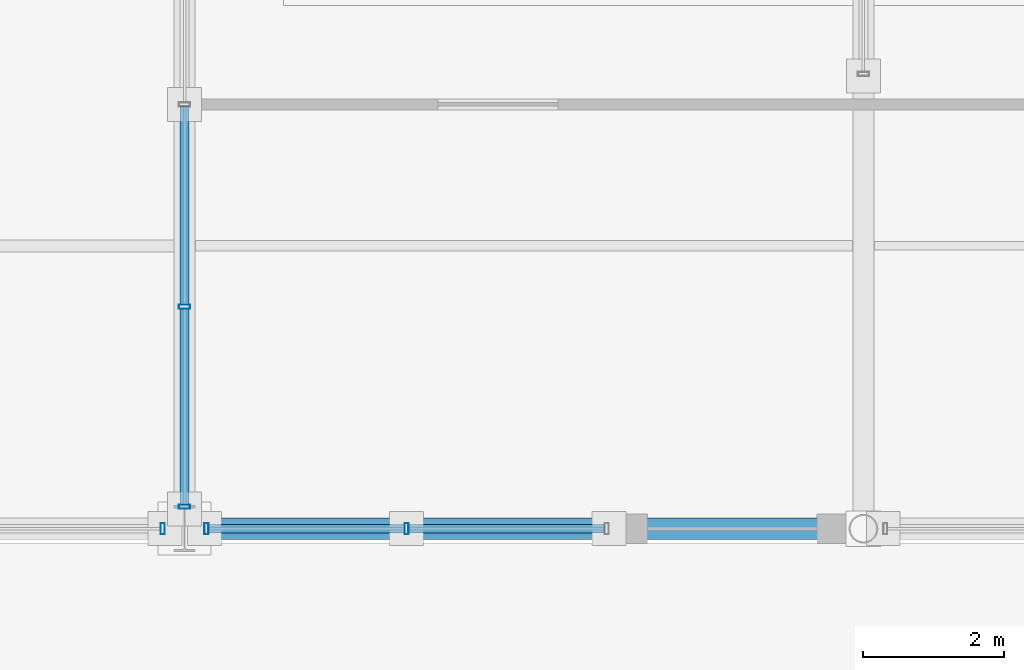
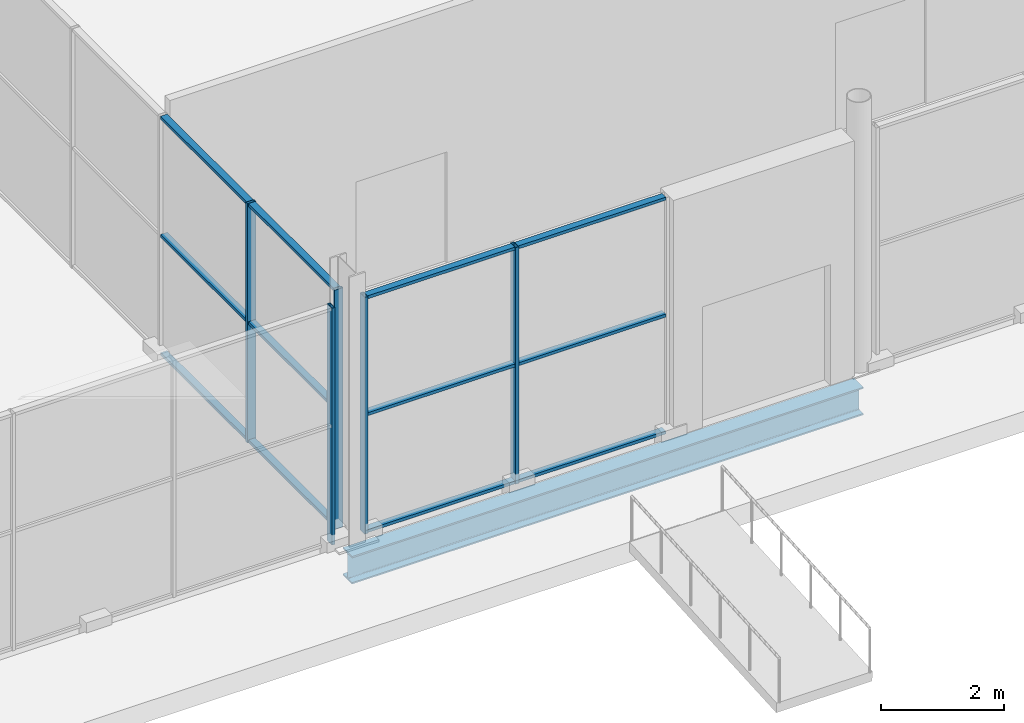
# One storey, part 41 of 196: 17 members, 1 beam, 3 elements without a shape of their own.
"""IFC4 building model written with IfcOpenShell, lengths in metres."""

from ifc_helpers import new_model, si_unit, direction, frame, origin, origin_2d, place, context, subcontext, project, spatial, hollow_rectangle, i_section, extrude, material, material_profile, profile_set, type_object, element, aggregate, save


model = new_model("IFC4")

# Units and contexts
model_context = context("Model", 3, precision=1e-05, world=origin(), true_north=direction((0.0, 1.0)))
body_context = subcontext(model_context, "Body", "Model", "MODEL_VIEW")
ifc_project = project(units=[si_unit("LENGTHUNIT", "METRE"), si_unit("AREAUNIT", "SQUARE_METRE"), si_unit("VOLUMEUNIT", "CUBIC_METRE"), si_unit("PLANEANGLEUNIT", "RADIAN"), si_unit("MASSUNIT", "GRAM", prefix="KILO")], contexts=[model_context])

# Site, building, storey
site_placement = place(None, origin())
site = spatial("IfcSite", under=ifc_project, at=site_placement, CompositionType="ELEMENT")
building_placement = place(site_placement, origin())
building = spatial("IfcBuilding", under=site, at=building_placement, Name="Merenkruunu Market Hall", CompositionType="ELEMENT")
storey_placement = place(building_placement, origin())
storey = spatial("IfcBuildingStorey", under=building, at=storey_placement, Name="L00", CompositionType="ELEMENT", Elevation=0.0)

# Curtain wall, member
ifc_material_1 = material(Name="Powder-coated aluminium", Category="aluminium")
curtain_wall_type_1 = type_object("IfcCurtainWallType", Name="Glazed Curtain Wall CW01", PredefinedType="USERDEFINED", material=ifc_material_1)
curtain_wall_1_placement = place(storey_placement, origin())
curtain_wall_1 = element("IfcCurtainWall", 1, at=curtain_wall_1_placement, inside=storey, type_object=curtain_wall_type_1, Name="CW-L00-CWM01-034", ObjectType="GLAZED_FACADE", PredefinedType="USERDEFINED")
ifc_material_profile_1 = material_profile(ifc_material_1, hollow_rectangle(XDim=0.06005859375, YDim=0.159912109375, WallThickness=0.00390625, at=origin_2d()), Name="ALU 60x160x4")
ifc_profile_set_1 = profile_set([ifc_material_profile_1], Name="Powder-coated aluminium")
member_type_1 = type_object("IfcMemberType", Name="Curtain Wall Mullion CWM01", PredefinedType="MULLION", material=ifc_profile_set_1)
member_1_placement = place(storey_placement, frame((57.2900390625, 15.60009765625, 0.0), z_axis=(0.0, 0.0, 1.0), x_axis=(-1.0, 0.0, 0.0)))
member_1 = element("IfcMember", 2, at=member_1_placement, type_object=member_type_1, Name="CW01 mullion 1", PredefinedType="MULLION", context=body_context, shape_type="SweptSolid", body=[
    extrude(hollow_rectangle(XDim=0.06005859375, YDim=0.159912109375, WallThickness=0.00390625, at=origin_2d()), origin(), (0.0, 0.0, 1.0), 4.699951171875),
])
aggregate(curtain_wall_1, [member_1])

# Curtain wall, members
curtain_wall_type_2 = type_object("IfcCurtainWallType", Name="Glazed Curtain Wall CW02", PredefinedType="USERDEFINED", material=ifc_material_1)
curtain_wall_2_placement = place(storey_placement, origin())
curtain_wall_2 = element("IfcCurtainWall", 3, at=curtain_wall_2_placement, inside=storey, type_object=curtain_wall_type_2, Name="CW-L00-CWM01-121", ObjectType="GLAZED_FACADE", PredefinedType="USERDEFINED")
member_2_placement = place(storey_placement, frame((57.60009765625, 15.909912109375, 0.0), z_axis=(0.0, 0.0, 1.0), x_axis=(0.0, 1.0, 0.0)))
member_2 = element("IfcMember", 4, at=member_2_placement, type_object=member_type_1, Name="CW02 mullion 1", PredefinedType="MULLION", context=body_context, shape_type="SweptSolid", body=[
    extrude(hollow_rectangle(XDim=0.06005859375, YDim=0.159912109375, WallThickness=0.00390625, at=origin_2d()), origin(), (0.0, 0.0, 1.0), 4.75),
])
member_3_placement = place(storey_placement, frame((57.60009765625, 18.739990234375, 0.0), z_axis=(0.0, 0.0, 1.0), x_axis=(0.0, 1.0, 0.0)))
member_3 = element("IfcMember", 5, at=member_3_placement, type_object=member_type_1, Name="CW02 mullion 2", PredefinedType="MULLION", context=body_context, shape_type="SweptSolid", body=[
    extrude(hollow_rectangle(XDim=0.06005859375, YDim=0.159912109375, WallThickness=0.00390625, at=origin_2d()), origin(), (0.0, 0.0, 1.0), 4.75),
])

curtain_wall_type_3 = type_object("IfcCurtainWallType", Name="Glazed Curtain Wall CW06", PredefinedType="USERDEFINED", material=ifc_material_1)
curtain_wall_3_placement = place(storey_placement, origin())
curtain_wall_3 = element("IfcCurtainWall", 6, at=curtain_wall_3_placement, inside=storey, type_object=curtain_wall_type_3, Name="CW-L00-CWM01-139", ObjectType="GLAZED_FACADE", PredefinedType="USERDEFINED")
member_4_placement = place(storey_placement, frame((60.739990234375, 15.60009765625, 0.0), z_axis=(0.0, 0.0, 1.0), x_axis=(-1.0, 0.0, 0.0)))
member_4 = element("IfcMember", 7, at=member_4_placement, type_object=member_type_1, Name="CW06 mullion 2", PredefinedType="MULLION", context=body_context, shape_type="SweptSolid", body=[
    extrude(hollow_rectangle(XDim=0.06005859375, YDim=0.159912109375, WallThickness=0.00390625, at=origin_2d()), origin(), (0.0, 0.0, 1.0), 4.699951171875),
])
member_5_placement = place(storey_placement, frame((57.909912109375, 15.60009765625, 0.0), z_axis=(0.0, 0.0, 1.0), x_axis=(-1.0, 0.0, 0.0)))
member_5 = element("IfcMember", 8, at=member_5_placement, type_object=member_type_1, Name="CW06 mullion 3", PredefinedType="MULLION", context=body_context, shape_type="SweptSolid", body=[
    extrude(hollow_rectangle(XDim=0.06005859375, YDim=0.159912109375, WallThickness=0.00390625, at=origin_2d()), origin(), (0.0, 0.0, 1.0), 4.699951171875),
])

# Member
ifc_material_profile_2 = material_profile(ifc_material_1, hollow_rectangle(XDim=0.06005859375, YDim=0.125, WallThickness=0.00390625, at=origin_2d()), Name="ALU 60x125x4")
ifc_profile_set_2 = profile_set([ifc_material_profile_2], Name="Powder-coated aluminium")
member_type_2 = type_object("IfcMemberType", Name="Curtain Wall Transom CWT01", PredefinedType="USERDEFINED", material=ifc_profile_set_2)
member_6_placement = place(storey_placement, frame((57.60009765625, 15.93994140625, 0.030029296875), z_axis=(0.0, 1.0, 0.0), x_axis=(0.0, 0.0, 1.0)))
member_6 = element("IfcMember", 9, at=member_6_placement, type_object=member_type_2, Name="CW02 transom 1.1", ObjectType="TRANSOM", PredefinedType="USERDEFINED", context=body_context, shape_type="SweptSolid", body=[
    extrude(hollow_rectangle(XDim=0.06005859375, YDim=0.125, WallThickness=0.00390625, at=origin_2d()), origin(), (0.0, 0.0, 1.0), 2.77001953125),
])

member_7_placement = place(storey_placement, frame((57.60009765625, 15.93994140625, 2.375), z_axis=(0.0, 1.0, 0.0), x_axis=(0.0, 0.0, 1.0)))
member_7 = element("IfcMember", 10, at=member_7_placement, type_object=member_type_2, Name="CW02 transom 1.2", ObjectType="TRANSOM", PredefinedType="USERDEFINED", context=body_context, shape_type="SweptSolid", body=[
    extrude(hollow_rectangle(XDim=0.06005859375, YDim=0.125, WallThickness=0.00390625, at=origin_2d()), origin(), (0.0, 0.0, 1.0), 2.77001953125),
])

member_8_placement = place(storey_placement, frame((57.60009765625, 15.93994140625, 4.719970703125), z_axis=(0.0, 1.0, 0.0), x_axis=(0.0, 0.0, 1.0)))
member_8 = element("IfcMember", 11, at=member_8_placement, type_object=member_type_2, Name="CW02 transom 1.3", ObjectType="TRANSOM", PredefinedType="USERDEFINED", context=body_context, shape_type="SweptSolid", body=[
    extrude(hollow_rectangle(XDim=0.06005859375, YDim=0.125, WallThickness=0.00390625, at=origin_2d()), origin(), (0.0, 0.0, 1.0), 2.77001953125),
])

member_9_placement = place(storey_placement, frame((57.60009765625, 18.77001953125, 0.030029296875), z_axis=(0.0, 1.0, 0.0), x_axis=(0.0, 0.0, 1.0)))
member_9 = element("IfcMember", 12, at=member_9_placement, type_object=member_type_2, Name="CW02 transom 2.1", ObjectType="TRANSOM", PredefinedType="USERDEFINED", context=body_context, shape_type="SweptSolid", body=[
    extrude(hollow_rectangle(XDim=0.06005859375, YDim=0.125, WallThickness=0.00390625, at=origin_2d()), origin(), (0.0, 0.0, 1.0), 2.800048828125),
])

member_10_placement = place(storey_placement, frame((57.60009765625, 18.77001953125, 2.375), z_axis=(0.0, 1.0, 0.0), x_axis=(0.0, 0.0, 1.0)))
member_10 = element("IfcMember", 13, at=member_10_placement, type_object=member_type_2, Name="CW02 transom 2.2", ObjectType="TRANSOM", PredefinedType="USERDEFINED", context=body_context, shape_type="SweptSolid", body=[
    extrude(hollow_rectangle(XDim=0.06005859375, YDim=0.125, WallThickness=0.00390625, at=origin_2d()), origin(), (0.0, 0.0, 1.0), 2.800048828125),
])

member_11_placement = place(storey_placement, frame((57.60009765625, 18.77001953125, 4.719970703125), z_axis=(0.0, 1.0, 0.0), x_axis=(0.0, 0.0, 1.0)))
member_11 = element("IfcMember", 14, at=member_11_placement, type_object=member_type_2, Name="CW02 transom 2.3", ObjectType="TRANSOM", PredefinedType="USERDEFINED", context=body_context, shape_type="SweptSolid", body=[
    extrude(hollow_rectangle(XDim=0.06005859375, YDim=0.125, WallThickness=0.00390625, at=origin_2d()), origin(), (0.0, 0.0, 1.0), 2.800048828125),
])

aggregate(curtain_wall_2, [member_2, member_3, member_6, member_7, member_8, member_9, member_10, member_11])

member_12_placement = place(storey_placement, frame((63.5400390625, 15.60009765625, 0.030029296875), z_axis=(-1.0, 0.0, 0.0), x_axis=(0.0, 0.0, 1.0)))
member_12 = element("IfcMember", 15, at=member_12_placement, type_object=member_type_2, Name="CW06 transom 1.1", ObjectType="TRANSOM", PredefinedType="USERDEFINED", context=body_context, shape_type="SweptSolid", body=[
    extrude(hollow_rectangle(XDim=0.06005859375, YDim=0.125, WallThickness=0.00390625, at=origin_2d()), origin(), (0.0, 0.0, 1.0), 2.77001953125),
])

member_13_placement = place(storey_placement, frame((63.5400390625, 15.60009765625, 2.35009765625), z_axis=(-1.0, 0.0, 0.0), x_axis=(0.0, 0.0, 1.0)))
member_13 = element("IfcMember", 16, at=member_13_placement, type_object=member_type_2, Name="CW06 transom 1.2", ObjectType="TRANSOM", PredefinedType="USERDEFINED", context=body_context, shape_type="SweptSolid", body=[
    extrude(hollow_rectangle(XDim=0.06005859375, YDim=0.125, WallThickness=0.00390625, at=origin_2d()), origin(), (0.0, 0.0, 1.0), 2.77001953125),
])

member_14_placement = place(storey_placement, frame((63.5400390625, 15.60009765625, 4.669921875), z_axis=(-1.0, 0.0, 0.0), x_axis=(0.0, 0.0, 1.0)))
member_14 = element("IfcMember", 17, at=member_14_placement, type_object=member_type_2, Name="CW06 transom 1.3", ObjectType="TRANSOM", PredefinedType="USERDEFINED", context=body_context, shape_type="SweptSolid", body=[
    extrude(hollow_rectangle(XDim=0.06005859375, YDim=0.125, WallThickness=0.00390625, at=origin_2d()), origin(), (0.0, 0.0, 1.0), 2.77001953125),
])

member_15_placement = place(storey_placement, frame((60.7099609375, 15.60009765625, 0.030029296875), z_axis=(-1.0, 0.0, 0.0), x_axis=(0.0, 0.0, 1.0)))
member_15 = element("IfcMember", 18, at=member_15_placement, type_object=member_type_2, Name="CW06 transom 2.1", ObjectType="TRANSOM", PredefinedType="USERDEFINED", context=body_context, shape_type="SweptSolid", body=[
    extrude(hollow_rectangle(XDim=0.06005859375, YDim=0.125, WallThickness=0.00390625, at=origin_2d()), origin(), (0.0, 0.0, 1.0), 2.77001953125),
])

member_16_placement = place(storey_placement, frame((60.7099609375, 15.60009765625, 2.35009765625), z_axis=(-1.0, 0.0, 0.0), x_axis=(0.0, 0.0, 1.0)))
member_16 = element("IfcMember", 19, at=member_16_placement, type_object=member_type_2, Name="CW06 transom 2.2", ObjectType="TRANSOM", PredefinedType="USERDEFINED", context=body_context, shape_type="SweptSolid", body=[
    extrude(hollow_rectangle(XDim=0.06005859375, YDim=0.125, WallThickness=0.00390625, at=origin_2d()), origin(), (0.0, 0.0, 1.0), 2.77001953125),
])

member_17_placement = place(storey_placement, frame((60.7099609375, 15.60009765625, 4.669921875), z_axis=(-1.0, 0.0, 0.0), x_axis=(0.0, 0.0, 1.0)))
member_17 = element("IfcMember", 20, at=member_17_placement, type_object=member_type_2, Name="CW06 transom 2.3", ObjectType="TRANSOM", PredefinedType="USERDEFINED", context=body_context, shape_type="SweptSolid", body=[
    extrude(hollow_rectangle(XDim=0.06005859375, YDim=0.125, WallThickness=0.00390625, at=origin_2d()), origin(), (0.0, 0.0, 1.0), 2.77001953125),
])

aggregate(curtain_wall_3, [member_4, member_5, member_12, member_13, member_14, member_15, member_16, member_17])

# Beam
ifc_material_2 = material(Name="Steel S355J2", Category="steel")
ifc_material_profile_3 = material_profile(ifc_material_2, i_section(OverallWidth=0.300048828125, OverallDepth=0.550048828125, WebThickness=0.014892578125, FlangeThickness=0.029052734375, FilletRadius=0.027099609375, at=origin_2d()), Name="HEB 550")
ifc_profile_set_3 = profile_set([ifc_material_profile_3], Name="Steel S355J2")
beam_type = type_object("IfcBeamType", Name="Primary Floor Girder B02", PredefinedType="BEAM", material=ifc_profile_set_3)
beam_placement = place(storey_placement, frame((57.60009765625, 15.60009765625, -0.574951171875), z_axis=(1.0, 0.0, 0.0), x_axis=(0.0, 1.0, 0.0)))
element("IfcBeam", 21, at=beam_placement, inside=storey, type_object=beam_type, Name="BM-L00-B02-0015", PredefinedType="BEAM", context=body_context, shape_type="SweptSolid", body=[
    extrude(i_section(OverallWidth=0.300048828125, OverallDepth=0.550048828125, WebThickness=0.014892578125, FlangeThickness=0.029052734375, FilletRadius=0.027099609375, at=origin_2d()), origin(), (0.0, 0.0, 1.0), 9.599853515625),
])

save(model, "model.ifc")
